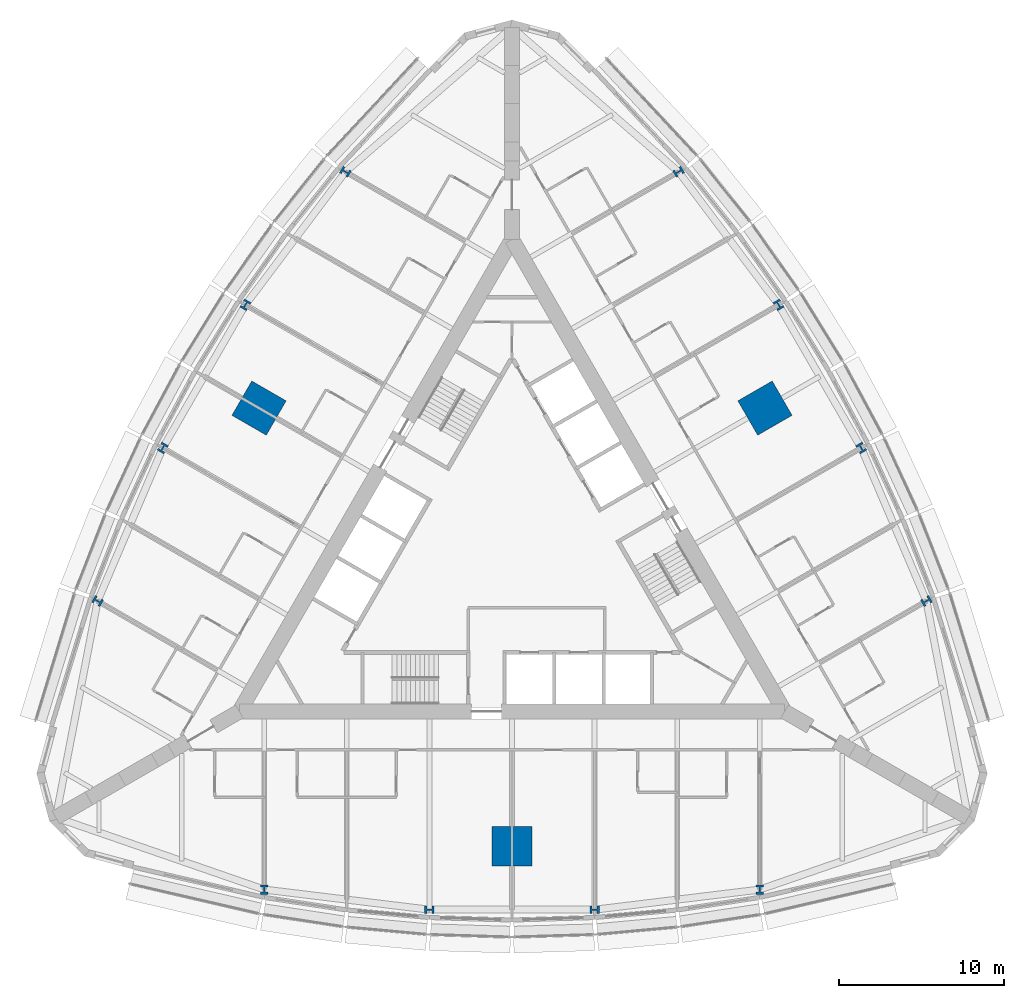
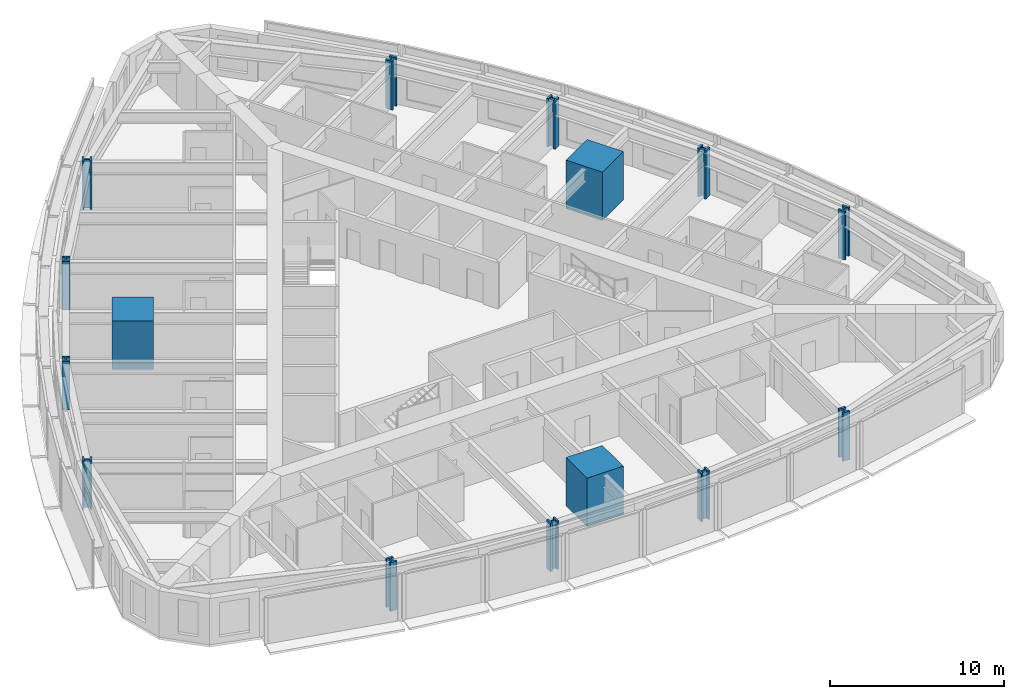
# One storey, part 1 of 14: 15 columns.
"""IFC4 building model written with IfcOpenShell, lengths in metres."""

from ifc_helpers import new_model, si_unit, direction, frame, origin, origin_2d, place, context, subcontext, project, spatial, rectangle, i_section, extrude, material, material_profile, profile_set, type_object, element, save


model = new_model("IFC4")

# Units and contexts
model_context = context("Model", 3, precision=1e-05, world=origin(), true_north=direction((0.0, 1.0)))
body_context = subcontext(model_context, "Body", "Model", "MODEL_VIEW")
ifc_project = project(units=[si_unit("LENGTHUNIT", "METRE"), si_unit("AREAUNIT", "SQUARE_METRE"), si_unit("VOLUMEUNIT", "CUBIC_METRE"), si_unit("PLANEANGLEUNIT", "RADIAN"), si_unit("MASSUNIT", "GRAM", prefix="KILO")], contexts=[model_context])

# Site, building, storey
site_placement = place(None, origin())
site = spatial("IfcSite", under=ifc_project, at=site_placement, CompositionType="ELEMENT")
building_placement = place(site_placement, origin())
building = spatial("IfcBuilding", under=site, at=building_placement, Name="Trikona Tower", CompositionType="ELEMENT")
storey_placement = place(building_placement, frame((0.0, 0.0, 45.5)))
storey = spatial("IfcBuildingStorey", under=building, at=storey_placement, Name="L10", CompositionType="ELEMENT", Elevation=45.5)

# Columns
ifc_material_1 = material(Name="Concrete f'c 10000 psi with encased steel section", Category="concrete")
ifc_material_profile_1 = material_profile(ifc_material_1, rectangle(XDim=2.39990234375, YDim=2.39990234375, at=origin_2d()), Name="MC2400")
ifc_profile_set_1 = profile_set([ifc_material_profile_1], Name="Concrete f'c 10000 psi with encased steel section")
column_type_1 = type_object("IfcColumnType", Name="Composite mega column 2400x2400", PredefinedType="COLUMN", material=ifc_profile_set_1)
for number, where, z_axis, x_axis, name in (
    (1, (0.0, -17.680419921875, 0.0), (0.0, 0.0, 1.0), (0.0, -1.0, 0.0), "Mega column MC1"),
    (2, (15.311767578125, 8.84033203125, 0.0), (0.0, 0.0, 1.0), (0.866025403784, 0.5, 0.0), "Mega column MC2"),
    (3, (-15.311767578125, 8.84033203125, 0.0), (0.0, 0.0, 1.0), (-0.866025403784, 0.5, 0.0), "Mega column MC3"),
):
    element("IfcColumn", number, at=place(storey_placement, frame(where, z_axis=z_axis, x_axis=x_axis)), inside=storey, type_object=column_type_1, Name=name, PredefinedType="COLUMN", context=body_context, shape_type="SweptSolid", body=[
        extrude(rectangle(XDim=2.39990234375, YDim=2.39990234375, at=origin_2d()), origin(), (0.0, 0.0, 1.0), 3.39990234375),
    ])
ifc_material_2 = material(Name="Steel ASTM A992 Grade 50", Category="steel")
ifc_material_profile_2 = material_profile(ifc_material_2, i_section(OverallWidth=0.45458984375, OverallDepth=0.56884765625, WebThickness=0.077880859375, FlangeThickness=0.124755859375, at=origin_2d()), Name="W14X730")
ifc_profile_set_2 = profile_set([ifc_material_profile_2], Name="Steel ASTM A992 Grade 50")
column_type_2 = type_object("IfcColumnType", Name="Steel column W14x730", PredefinedType="COLUMN", material=ifc_profile_set_2)
for number, where, z_axis, x_axis, name in (
    (4, (-15.0, -20.302978515625, 0.0), (0.0, 0.0, 1.0), (1.0, 0.0, 0.0), "Column F0m15"),
    (5, (-5.0, -21.5205078125, 0.0), (0.0, 0.0, 1.0), (0.0, -1.0, 0.0), "Column F0m5"),
    (6, (5.0, -21.5205078125, 0.0), (0.0, 0.0, 1.0), (0.0, -1.0, 0.0), "Column F0p5"),
    (7, (15.0, -20.302978515625, 0.0), (0.0, 0.0, 1.0), (1.0, 0.0, 0.0), "Column F0p15"),
    (8, (25.0830078125, -2.8388671875, 0.0), (0.0, 0.0, 1.0), (-0.5, 0.866025403784, 0.0), "Column F1m15"),
    (9, (21.13720703125, 6.43017578125, 0.0), (0.0, 0.0, 1.0), (0.866025403784, 0.5, 0.0), "Column F1m5"),
    (10, (16.13720703125, 15.09033203125, 0.0), (0.0, 0.0, 1.0), (0.866025403784, 0.5, 0.0), "Column F1p5"),
    (11, (10.0830078125, 23.141845703125, 0.0), (0.0, 0.0, 1.0), (-0.5, 0.866025403784, 0.0), "Column F1p15"),
    (12, (-10.0830078125, 23.141845703125, 0.0), (0.0, 0.0, 1.0), (-0.5, -0.866025403784, 0.0), "Column F2m15"),
    (13, (-16.13720703125, 15.09033203125, 0.0), (0.0, 0.0, 1.0), (-0.866025403784, 0.5, 0.0), "Column F2m5"),
    (14, (-21.13720703125, 6.43017578125, 0.0), (0.0, 0.0, 1.0), (-0.866025403784, 0.5, 0.0), "Column F2p5"),
    (15, (-25.0830078125, -2.8388671875, 0.0), (0.0, 0.0, 1.0), (-0.5, -0.866025403784, 0.0), "Column F2p15"),
):
    element("IfcColumn", number, at=place(storey_placement, frame(where, z_axis=z_axis, x_axis=x_axis)), inside=storey, type_object=column_type_2, Name=name, PredefinedType="COLUMN", context=body_context, shape_type="SweptSolid", body=[
        extrude(i_section(OverallWidth=0.45458984375, OverallDepth=0.56884765625, WebThickness=0.077880859375, FlangeThickness=0.124755859375, at=origin_2d()), origin(), (0.0, 0.0, 1.0), 3.39990234375),
    ])

save(model, "model.ifc")
